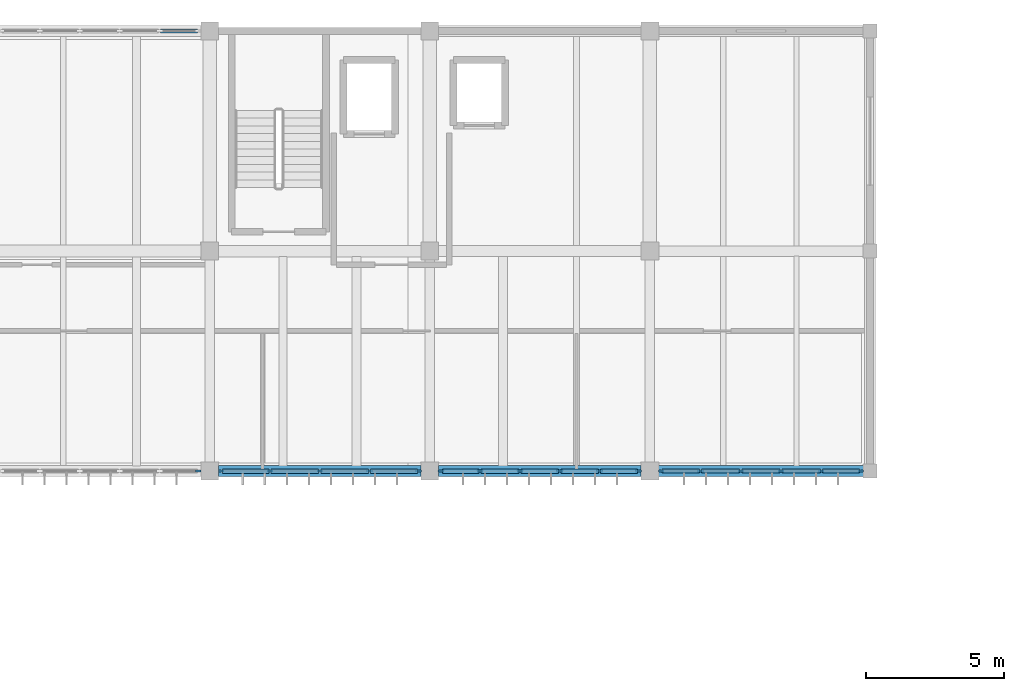
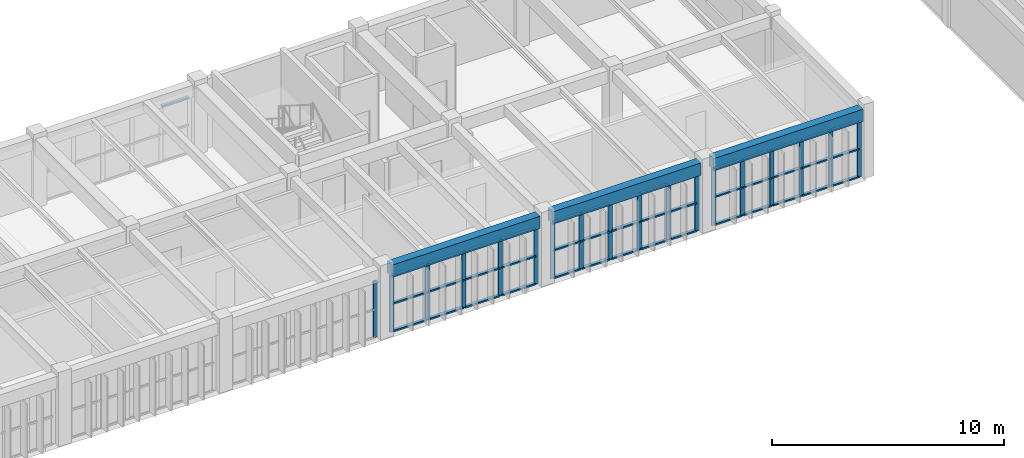
# One storey, part 8 of 31: 61 members, 3 beams, 5 elements without a shape of their own.
"""IFC4 building model written with IfcOpenShell, lengths in metres."""

import ifcopenshell
import ifcopenshell.guid

model = None  # the IFC model being written
_history = None  # IfcOwnerHistory: only IFC2X3 demands one
_inside = {}  # id of a spatial element -> (the spatial element, [elements in it])
_under = {}  # id of a project, library or spatial element -> (it, [spatial elements below it])
_declared = {}  # id of a project -> (the project, [libraries it declares])
_typed = {}  # id of a type object -> (the type object, [elements of that type])
_made_of = {}  # id of a material, layer set ... -> (it, [elements and type objects made of it])


def new_model(schema):
    """Start an empty IFC model of exactly this schema.

    Asked for "IFC4X3", IfcOpenShell would pick the latest addendum, in which some entities
    have other attributes; the version numbers below select the first issue.
    IFC2X3 requires an IfcOwnerHistory on every rooted entity: one is made here for all.
    """
    global model, _history
    if schema == "IFC4X3":
        model = ifcopenshell.file(schema_version=(4, 3, 0, 0))
    else:
        model = ifcopenshell.file(schema=schema)
    _inside.clear()
    _under.clear()
    _declared.clear()
    _typed.clear()
    _made_of.clear()
    _history = None
    if model.schema == "IFC2X3":
        org = make("IfcOrganization", Name="unknown")
        user = make(
            "IfcPersonAndOrganization",
            ThePerson=make("IfcPerson", FamilyName="unknown"),
            TheOrganization=org,
        )
        app = make(
            "IfcApplication",
            ApplicationDeveloper=org,
            Version="unknown",
            ApplicationFullName="unknown",
            ApplicationIdentifier="unknown",
        )
        _history = make(
            "IfcOwnerHistory",
            OwningUser=user,
            OwningApplication=app,
            ChangeAction="ADDED",
            CreationDate=0,
        )
    return model


def make(cls, **values):
    """One entity of the class cls with the attributes given. An attribute that is None is left unset."""
    return model.create_entity(
        cls, **{name: value for name, value in values.items() if value is not None}
    )


def rooted(cls, **values):
    """An entity with a GlobalId (a new one), such as an element, a storey or a relation."""
    return make(cls, GlobalId=ifcopenshell.guid.new(), OwnerHistory=_history, **values)


def si_unit(unit_type, name, prefix=None):
    """IfcSIUnit, for example si_unit("LENGTHUNIT", "METRE", prefix="MILLI")."""
    return make("IfcSIUnit", UnitType=unit_type, Prefix=prefix, Name=name)


def assignment(units):
    """IfcUnitAssignment: the units of a project."""
    return None if units is None else make("IfcUnitAssignment", Units=units)


def point(xyz):
    """IfcCartesianPoint."""
    return None if xyz is None else make("IfcCartesianPoint", Coordinates=xyz)


def direction(xyz):
    """IfcDirection."""
    return None if xyz is None else make("IfcDirection", DirectionRatios=xyz)


def frame(location, z_axis=None, x_axis=None):
    """IfcAxis2Placement3D, a coordinate frame: its origin and axes. An axis left out is left unset."""
    return make(
        "IfcAxis2Placement3D",
        Location=point(location),
        Axis=direction(z_axis),
        RefDirection=direction(x_axis),
    )


def frame_2d(location, x_axis=None):
    """IfcAxis2Placement2D, a coordinate frame in the plane: its origin and x axis."""
    return make(
        "IfcAxis2Placement2D", Location=point(location), RefDirection=direction(x_axis)
    )


def origin():
    """The frame at (0, 0, 0) with its axes left unset."""
    return frame((0.0, 0.0, 0.0))


def origin_2d():
    """The frame at (0, 0) in the plane with its x axis left unset."""
    return frame_2d((0.0, 0.0))


def place(relative_to, where):
    """IfcLocalPlacement: puts the frame where relative to a parent placement (None: the world)."""
    return make(
        "IfcLocalPlacement", PlacementRelTo=relative_to, RelativePlacement=where
    )


def context(
    kind, dimensions, precision=None, world=None, true_north=None, identifier=None
):
    """IfcGeometricRepresentationContext, for example the 3D "Model" context."""
    return make(
        "IfcGeometricRepresentationContext",
        ContextIdentifier=identifier,
        ContextType=kind,
        CoordinateSpaceDimension=dimensions,
        Precision=precision,
        WorldCoordinateSystem=world,
        TrueNorth=true_north,
    )


def subcontext(parent, identifier, kind, view, scale=None):
    """IfcGeometricRepresentationSubContext, for example "Body" below "Model"."""
    return make(
        "IfcGeometricRepresentationSubContext",
        ContextIdentifier=identifier,
        ContextType=kind,
        ParentContext=parent,
        TargetScale=scale,
        TargetView=view,
    )


def project(units=None, contexts=None):
    """IfcProject with its units and contexts."""
    return rooted(
        "IfcProject",
        Name="project",
        RepresentationContexts=contexts,
        UnitsInContext=assignment(units),
    )


def spatial(cls, under=None, at=None, **own):
    """A site, building, storey or space (cls), placed at a placement, below another one or the project."""
    s = rooted(cls, ObjectPlacement=at, **own)
    if under is not None:
        _under.setdefault(under.id(), (under, []))[1].append(s)
    return s


def profile(cls, at=None, kind="AREA", **sizes):
    """A parametric profile (cls). Its sizes go by their IFC names, for example OverallWidth=200.0."""
    return make(cls, ProfileType=kind, Position=at, **sizes)


def rectangle(**sizes):
    """IfcRectangleProfileDef."""
    return profile("IfcRectangleProfileDef", **sizes)


def extrude(swept, where, along, depth):
    """IfcExtrudedAreaSolid: the profile swept, set in the frame where, extruded along a direction by depth."""
    return make(
        "IfcExtrudedAreaSolid",
        SweptArea=swept,
        Position=where,
        ExtrudedDirection=direction(along),
        Depth=depth,
    )


def shape(context_of_items, identifier, shape_type, items):
    """IfcShapeRepresentation: the items that make up one representation, for example the "Body"."""
    return make(
        "IfcShapeRepresentation",
        ContextOfItems=context_of_items,
        RepresentationIdentifier=identifier,
        RepresentationType=shape_type,
        Items=items,
    )


def material(Name=None, Category=None):
    """IfcMaterial."""
    return make("IfcMaterial", Name=Name, Category=Category)


def material_profile(
    of_material, cross_section, Name=None, Category=None, Priority=None
):
    """IfcMaterialProfile: a cross section and its material."""
    return make(
        "IfcMaterialProfile",
        Name=Name,
        Material=of_material,
        Profile=cross_section,
        Priority=Priority,
        Category=Category,
    )


def profile_set(profiles, Name=None, composite=None):
    """IfcMaterialProfileSet."""
    return make(
        "IfcMaterialProfileSet",
        Name=Name,
        MaterialProfiles=profiles,
        CompositeProfile=composite,
    )


def made_of(thing, what):
    """Note that an element or type object is made of a material, layer set ...; save() writes the relation."""
    if what is not None:
        _made_of.setdefault(what.id(), (what, []))[1].append(thing)
    return thing


def type_object(cls, material=None, **own):
    """A type object (cls), such as IfcWallType, which elements share."""
    return made_of(rooted(cls, **own), material)


def element(
    cls,
    number,
    at=None,
    inside=None,
    cuts=None,
    type_object=None,
    material=None,
    context=None,
    identifier="Body",
    shape_type=None,
    held_by="IfcProductDefinitionShape",
    body=None,
    shapes=None,
    **own,
):
    """One element of the class cls, such as IfcWall. Its Tag is "e" and its number.

    at: its placement. inside: the storey or other place that contains it. cuts: it is an
    opening in that element (IfcRelVoidsElement). A single representation is given by context,
    identifier, shape_type and body (its items); several are given by shapes. held_by: the class
    of the entity that holds the representations. save() writes the other relations.
    """
    e = rooted(cls, Tag="e%d" % number, ObjectPlacement=at, **own)
    if body is not None:
        shapes = [shape(context, identifier, shape_type, body)]
    if shapes is not None:
        e.Representation = make(held_by, Representations=shapes)
    if inside is not None:
        _inside.setdefault(inside.id(), (inside, []))[1].append(e)
    if cuts is not None:
        rooted(
            "IfcRelVoidsElement", RelatingBuildingElement=cuts, RelatedOpeningElement=e
        )
    if type_object is not None:
        _typed.setdefault(type_object.id(), (type_object, []))[1].append(e)
    return made_of(e, material)


def aggregate(whole, parts):
    """IfcRelAggregates: a whole, such as a stair, and the parts it consists of."""
    return rooted("IfcRelAggregates", RelatingObject=whole, RelatedObjects=parts)


def save(model, path):
    """Write the relations noted so far, then the file.

    IfcRelAggregates (storeys below a building ...), IfcRelContainedInSpatialStructure (elements
    in a storey), IfcRelDefinesByType, IfcRelAssociatesMaterial and IfcRelDeclares: one each for
    every whole, place, type object, material and project.
    """
    for whole, parts in _under.values():
        aggregate(whole, parts)
    for where, things in _inside.values():
        rooted(
            "IfcRelContainedInSpatialStructure",
            RelatedElements=things,
            RelatingStructure=where,
        )
    for kind, things in _typed.values():
        rooted("IfcRelDefinesByType", RelatedObjects=things, RelatingType=kind)
    for what, things in _made_of.values():
        rooted("IfcRelAssociatesMaterial", RelatedObjects=things, RelatingMaterial=what)
    for by, libraries in _declared.values():
        rooted("IfcRelDeclares", RelatingContext=by, RelatedDefinitions=libraries)
    model.write(path)


model = new_model("IFC4")

# Units and contexts
model_context = context("Model", 3, precision=1e-05, world=origin(), true_north=direction((0.0, 1.0)))
body_context = subcontext(model_context, "Body", "Model", "MODEL_VIEW")
ifc_project = project(units=[si_unit("LENGTHUNIT", "METRE"), si_unit("AREAUNIT", "SQUARE_METRE"), si_unit("VOLUMEUNIT", "CUBIC_METRE"), si_unit("PLANEANGLEUNIT", "RADIAN"), si_unit("MASSUNIT", "GRAM", prefix="KILO")], contexts=[model_context])

# Site, building, storey
site_placement = place(None, origin())
site = spatial("IfcSite", under=ifc_project, at=site_placement, CompositionType="ELEMENT")
building_placement = place(site_placement, origin())
building = spatial("IfcBuilding", under=site, at=building_placement, Name="Tlaxcora Railside Police Headquarters", CompositionType="ELEMENT")
storey_placement = place(building_placement, frame((0.0, 0.0, 18.0)))
storey = spatial("IfcBuildingStorey", under=building, at=storey_placement, Name="L04", CompositionType="ELEMENT", Elevation=18.0)

# Curtain wall, members
ifc_material_1 = material(Name="Thermally broken low-E insulated glazing", Category="glass")
curtain_wall_type_1 = type_object("IfcCurtainWallType", Name="Unitised Curtain Wall Assembly CW-23", PredefinedType="NOTDEFINED", material=ifc_material_1)
curtain_wall_1_placement = place(storey_placement, origin())
curtain_wall_1 = element("IfcCurtainWall", 1, at=curtain_wall_1_placement, inside=storey, type_object=curtain_wall_type_1, Name="V5 L04 curtain wall 96", PredefinedType="NOTDEFINED")
ifc_material_2 = material(Name="Anodised aluminium framing", Category="aluminium")
ifc_material_profile_1 = material_profile(ifc_material_2, rectangle(XDim=0.080078125, YDim=0.219970703125, at=origin_2d()), Name="AL80X220")
ifc_profile_set_1 = profile_set([ifc_material_profile_1], Name="Anodised aluminium framing")
member_type_1 = type_object("IfcMemberType", Name="Curtain Wall Mullion CW-31", PredefinedType="MULLION", material=ifc_profile_set_1)
member_1_placement = place(storey_placement, frame((78.4150390625, 76.800048828125, 0.0), z_axis=(0.0, 0.0, 1.0), x_axis=(0.0, 1.0, 0.0)))
member_1 = element("IfcMember", 2, at=member_1_placement, type_object=member_type_1, Name="CW mullion 1", PredefinedType="MULLION", context=body_context, shape_type="SweptSolid", body=[
    extrude(rectangle(XDim=0.080078125, YDim=0.219970703125, at=origin_2d()), origin(), (0.0, 0.0, 1.0), 2.969970703125),
])
member_2_placement = place(storey_placement, frame((79.824951171875, 76.800048828125, 0.0), z_axis=(0.0, 0.0, 1.0), x_axis=(0.0, 1.0, 0.0)))
member_2 = element("IfcMember", 3, at=member_2_placement, type_object=member_type_1, Name="CW mullion 2", PredefinedType="MULLION", context=body_context, shape_type="SweptSolid", body=[
    extrude(rectangle(XDim=0.080078125, YDim=0.219970703125, at=origin_2d()), origin(), (0.0, 0.0, 1.0), 2.969970703125),
])
member_3_placement = place(storey_placement, frame((81.27490234375, 76.800048828125, 0.0), z_axis=(0.0, 0.0, 1.0), x_axis=(0.0, 1.0, 0.0)))
member_3 = element("IfcMember", 4, at=member_3_placement, type_object=member_type_1, Name="CW mullion 3", PredefinedType="MULLION", context=body_context, shape_type="SweptSolid", body=[
    extrude(rectangle(XDim=0.080078125, YDim=0.219970703125, at=origin_2d()), origin(), (0.0, 0.0, 1.0), 2.969970703125),
])
member_4_placement = place(storey_placement, frame((82.72509765625, 76.800048828125, 0.0), z_axis=(0.0, 0.0, 1.0), x_axis=(0.0, 1.0, 0.0)))
member_4 = element("IfcMember", 5, at=member_4_placement, type_object=member_type_1, Name="CW mullion 4", PredefinedType="MULLION", context=body_context, shape_type="SweptSolid", body=[
    extrude(rectangle(XDim=0.080078125, YDim=0.219970703125, at=origin_2d()), origin(), (0.0, 0.0, 1.0), 2.969970703125),
])
member_5_placement = place(storey_placement, frame((84.175048828125, 76.800048828125, 0.0), z_axis=(0.0, 0.0, 1.0), x_axis=(0.0, 1.0, 0.0)))
member_5 = element("IfcMember", 6, at=member_5_placement, type_object=member_type_1, Name="CW mullion 5", PredefinedType="MULLION", context=body_context, shape_type="SweptSolid", body=[
    extrude(rectangle(XDim=0.080078125, YDim=0.219970703125, at=origin_2d()), origin(), (0.0, 0.0, 1.0), 2.969970703125),
])
member_6_placement = place(storey_placement, frame((85.5849609375, 76.800048828125, 0.0), z_axis=(0.0, 0.0, 1.0), x_axis=(0.0, 1.0, 0.0)))
member_6 = element("IfcMember", 7, at=member_6_placement, type_object=member_type_1, Name="CW mullion 6", PredefinedType="MULLION", context=body_context, shape_type="SweptSolid", body=[
    extrude(rectangle(XDim=0.080078125, YDim=0.219970703125, at=origin_2d()), origin(), (0.0, 0.0, 1.0), 2.969970703125),
])

curtain_wall_type_2 = type_object("IfcCurtainWallType", Name="Unitised Curtain Wall Assembly CW-38", PredefinedType="NOTDEFINED", material=ifc_material_1)
curtain_wall_2_placement = place(storey_placement, origin())
curtain_wall_2 = element("IfcCurtainWall", 8, at=curtain_wall_2_placement, inside=storey, type_object=curtain_wall_type_2, Name="V5 L04 curtain wall 97", PredefinedType="NOTDEFINED")
ifc_material_profile_2 = material_profile(ifc_material_2, rectangle(XDim=0.074951171875, YDim=0.205078125, at=origin_2d()), Name="AL75X205")
ifc_profile_set_2 = profile_set([ifc_material_profile_2], Name="Anodised aluminium framing")
member_type_2 = type_object("IfcMemberType", Name="Curtain Wall Mullion CW-32", PredefinedType="MULLION", material=ifc_profile_set_2)
member_7_placement = place(storey_placement, frame((86.41259765625, 76.800048828125, 0.0), z_axis=(0.0, 0.0, 1.0), x_axis=(0.0, 1.0, 0.0)))
member_7 = element("IfcMember", 9, at=member_7_placement, type_object=member_type_2, Name="CW mullion 1", PredefinedType="MULLION", context=body_context, shape_type="SweptSolid", body=[
    extrude(rectangle(XDim=0.074951171875, YDim=0.205078125, at=origin_2d()), origin(), (0.0, 0.0, 1.0), 2.969970703125),
])
member_8_placement = place(storey_placement, frame((87.840087890625, 76.800048828125, 0.0), z_axis=(0.0, 0.0, 1.0), x_axis=(0.0, 1.0, 0.0)))
member_8 = element("IfcMember", 10, at=member_8_placement, type_object=member_type_2, Name="CW mullion 2", PredefinedType="MULLION", context=body_context, shape_type="SweptSolid", body=[
    extrude(rectangle(XDim=0.074951171875, YDim=0.205078125, at=origin_2d()), origin(), (0.0, 0.0, 1.0), 2.969970703125),
])
member_9_placement = place(storey_placement, frame((89.304931640625, 76.800048828125, 0.0), z_axis=(0.0, 0.0, 1.0), x_axis=(0.0, 1.0, 0.0)))
member_9 = element("IfcMember", 11, at=member_9_placement, type_object=member_type_2, Name="CW mullion 3", PredefinedType="MULLION", context=body_context, shape_type="SweptSolid", body=[
    extrude(rectangle(XDim=0.074951171875, YDim=0.205078125, at=origin_2d()), origin(), (0.0, 0.0, 1.0), 2.969970703125),
])
member_10_placement = place(storey_placement, frame((90.77001953125, 76.800048828125, 0.0), z_axis=(0.0, 0.0, 1.0), x_axis=(0.0, 1.0, 0.0)))
member_10 = element("IfcMember", 12, at=member_10_placement, type_object=member_type_2, Name="CW mullion 4", PredefinedType="MULLION", context=body_context, shape_type="SweptSolid", body=[
    extrude(rectangle(XDim=0.074951171875, YDim=0.205078125, at=origin_2d()), origin(), (0.0, 0.0, 1.0), 2.969970703125),
])
member_11_placement = place(storey_placement, frame((92.235107421875, 76.800048828125, 0.0), z_axis=(0.0, 0.0, 1.0), x_axis=(0.0, 1.0, 0.0)))
member_11 = element("IfcMember", 13, at=member_11_placement, type_object=member_type_2, Name="CW mullion 5", PredefinedType="MULLION", context=body_context, shape_type="SweptSolid", body=[
    extrude(rectangle(XDim=0.074951171875, YDim=0.205078125, at=origin_2d()), origin(), (0.0, 0.0, 1.0), 2.969970703125),
])
member_12_placement = place(storey_placement, frame((93.66259765625, 76.800048828125, 0.0), z_axis=(0.0, 0.0, 1.0), x_axis=(0.0, 1.0, 0.0)))
member_12 = element("IfcMember", 14, at=member_12_placement, type_object=member_type_2, Name="CW mullion 6", PredefinedType="MULLION", context=body_context, shape_type="SweptSolid", body=[
    extrude(rectangle(XDim=0.074951171875, YDim=0.205078125, at=origin_2d()), origin(), (0.0, 0.0, 1.0), 2.969970703125),
])

# Curtain wall, member
curtain_wall_type_3 = type_object("IfcCurtainWallType", Name="Unitised Curtain Wall Assembly CW-15", PredefinedType="NOTDEFINED", material=ifc_material_1)
curtain_wall_3_placement = place(storey_placement, origin())
curtain_wall_3 = element("IfcCurtainWall", 15, at=curtain_wall_3_placement, inside=storey, type_object=curtain_wall_type_3, Name="V5 L04 curtain wall 94", PredefinedType="NOTDEFINED")
ifc_material_profile_3 = material_profile(ifc_material_2, rectangle(XDim=0.074951171875, YDim=0.199951171875, at=origin_2d()), Name="AL75X200")
ifc_profile_set_3 = profile_set([ifc_material_profile_3], Name="Anodised aluminium framing")
member_type_3 = type_object("IfcMemberType", Name="Curtain Wall Mullion CW-58", PredefinedType="MULLION", material=ifc_profile_set_3)
member_13_placement = place(storey_placement, frame((69.58740234375, 76.800048828125, 0.0), z_axis=(0.0, 0.0, 1.0), x_axis=(0.0, 1.0, 0.0)))
member_13 = element("IfcMember", 16, at=member_13_placement, type_object=member_type_3, Name="CW mullion 6", PredefinedType="MULLION", context=body_context, shape_type="SweptSolid", body=[
    extrude(rectangle(XDim=0.074951171875, YDim=0.199951171875, at=origin_2d()), origin(), (0.0, 0.0, 1.0), 2.969970703125),
])
aggregate(curtain_wall_3, [member_13])

# Curtain wall, members
curtain_wall_type_4 = type_object("IfcCurtainWallType", Name="Unitised Curtain Wall Assembly CW-83", PredefinedType="NOTDEFINED", material=ifc_material_1)
curtain_wall_4_placement = place(storey_placement, origin())
curtain_wall_4 = element("IfcCurtainWall", 17, at=curtain_wall_4_placement, inside=storey, type_object=curtain_wall_type_4, Name="V5 L04 curtain wall 95", PredefinedType="NOTDEFINED")
ifc_material_profile_4 = material_profile(ifc_material_2, rectangle(XDim=0.080078125, YDim=0.2099609375, at=origin_2d()), Name="AL80X210")
ifc_profile_set_4 = profile_set([ifc_material_profile_4], Name="Anodised aluminium framing")
member_type_4 = type_object("IfcMemberType", Name="Curtain Wall Mullion CW-76", PredefinedType="MULLION", material=ifc_profile_set_4)
member_14_placement = place(storey_placement, frame((70.4150390625, 76.800048828125, 0.0), z_axis=(0.0, 0.0, 1.0), x_axis=(0.0, 1.0, 0.0)))
member_14 = element("IfcMember", 18, at=member_14_placement, type_object=member_type_4, Name="CW mullion 1", PredefinedType="MULLION", context=body_context, shape_type="SweptSolid", body=[
    extrude(rectangle(XDim=0.080078125, YDim=0.2099609375, at=origin_2d()), origin(), (0.0, 0.0, 1.0), 2.969970703125),
])
member_15_placement = place(storey_placement, frame((72.1875, 76.800048828125, 0.0), z_axis=(0.0, 0.0, 1.0), x_axis=(0.0, 1.0, 0.0)))
member_15 = element("IfcMember", 19, at=member_15_placement, type_object=member_type_4, Name="CW mullion 2", PredefinedType="MULLION", context=body_context, shape_type="SweptSolid", body=[
    extrude(rectangle(XDim=0.080078125, YDim=0.2099609375, at=origin_2d()), origin(), (0.0, 0.0, 1.0), 2.969970703125),
])
member_16_placement = place(storey_placement, frame((74.0, 76.800048828125, 0.0), z_axis=(0.0, 0.0, 1.0), x_axis=(0.0, 1.0, 0.0)))
member_16 = element("IfcMember", 20, at=member_16_placement, type_object=member_type_4, Name="CW mullion 3", PredefinedType="MULLION", context=body_context, shape_type="SweptSolid", body=[
    extrude(rectangle(XDim=0.080078125, YDim=0.2099609375, at=origin_2d()), origin(), (0.0, 0.0, 1.0), 2.969970703125),
])
member_17_placement = place(storey_placement, frame((75.8125, 76.800048828125, 0.0), z_axis=(0.0, 0.0, 1.0), x_axis=(0.0, 1.0, 0.0)))
member_17 = element("IfcMember", 21, at=member_17_placement, type_object=member_type_4, Name="CW mullion 4", PredefinedType="MULLION", context=body_context, shape_type="SweptSolid", body=[
    extrude(rectangle(XDim=0.080078125, YDim=0.2099609375, at=origin_2d()), origin(), (0.0, 0.0, 1.0), 2.969970703125),
])
member_18_placement = place(storey_placement, frame((77.5849609375, 76.800048828125, 0.0), z_axis=(0.0, 0.0, 1.0), x_axis=(0.0, 1.0, 0.0)))
member_18 = element("IfcMember", 22, at=member_18_placement, type_object=member_type_4, Name="CW mullion 5", PredefinedType="MULLION", context=body_context, shape_type="SweptSolid", body=[
    extrude(rectangle(XDim=0.080078125, YDim=0.2099609375, at=origin_2d()), origin(), (0.0, 0.0, 1.0), 2.969970703125),
])

# Curtain wall, member
curtain_wall_5_placement = place(storey_placement, origin())
curtain_wall_5 = element("IfcCurtainWall", 23, at=curtain_wall_5_placement, inside=storey, type_object=curtain_wall_type_3, Name="V5 L04 curtain wall 98", PredefinedType="NOTDEFINED")
ifc_material_profile_5 = material_profile(ifc_material_2, rectangle(XDim=0.14990234375, YDim=0.074951171875, at=origin_2d()), Name="AL75X150")
ifc_profile_set_5 = profile_set([ifc_material_profile_5], Name="Anodised aluminium framing")
member_type_5 = type_object("IfcMemberType", Name="Curtain Wall Transom CW-28", PredefinedType="USERDEFINED", material=ifc_profile_set_5)
member_19_placement = place(storey_placement, frame((69.550048828125, 92.800048828125, 2.9326171875), z_axis=(-1.0, 0.0, 0.0), x_axis=(0.0, -1.0, 0.0)))
member_19 = element("IfcMember", 24, at=member_19_placement, type_object=member_type_5, Name="CW transom 1.3", ObjectType="TRANSOM", PredefinedType="USERDEFINED", context=body_context, shape_type="SweptSolid", body=[
    extrude(rectangle(XDim=0.14990234375, YDim=0.074951171875, at=origin_2d()), origin(), (0.0, 0.0, 1.0), 1.337646484375),
])
aggregate(curtain_wall_5, [member_19])

# Member
ifc_material_profile_6 = material_profile(ifc_material_2, rectangle(XDim=0.155029296875, YDim=0.074951171875, at=origin_2d()), Name="AL75X155")
ifc_profile_set_6 = profile_set([ifc_material_profile_6], Name="Anodised aluminium framing")
member_type_6 = type_object("IfcMemberType", Name="Curtain Wall Transom CW-30", PredefinedType="USERDEFINED", material=ifc_profile_set_6)
member_20_placement = place(storey_placement, frame((86.449951171875, 76.800048828125, 0.03759765625), z_axis=(1.0, 0.0, 0.0), x_axis=(0.0, 1.0, 0.0)))
member_20 = element("IfcMember", 25, at=member_20_placement, type_object=member_type_6, Name="CW transom 1.1", ObjectType="TRANSOM", PredefinedType="USERDEFINED", context=body_context, shape_type="SweptSolid", body=[
    extrude(rectangle(XDim=0.155029296875, YDim=0.074951171875, at=origin_2d()), origin(), (0.0, 0.0, 1.0), 1.3525390625),
])

member_21_placement = place(storey_placement, frame((86.449951171875, 76.800048828125, 1.4951171875), z_axis=(1.0, 0.0, 0.0), x_axis=(0.0, 1.0, 0.0)))
member_21 = element("IfcMember", 26, at=member_21_placement, type_object=member_type_6, Name="CW transom 1.2", ObjectType="TRANSOM", PredefinedType="USERDEFINED", context=body_context, shape_type="SweptSolid", body=[
    extrude(rectangle(XDim=0.155029296875, YDim=0.074951171875, at=origin_2d()), origin(), (0.0, 0.0, 1.0), 1.3525390625),
])

member_22_placement = place(storey_placement, frame((86.449951171875, 76.800048828125, 2.9326171875), z_axis=(1.0, 0.0, 0.0), x_axis=(0.0, 1.0, 0.0)))
member_22 = element("IfcMember", 27, at=member_22_placement, type_object=member_type_6, Name="CW transom 1.3", ObjectType="TRANSOM", PredefinedType="USERDEFINED", context=body_context, shape_type="SweptSolid", body=[
    extrude(rectangle(XDim=0.155029296875, YDim=0.074951171875, at=origin_2d()), origin(), (0.0, 0.0, 1.0), 1.3525390625),
])

member_23_placement = place(storey_placement, frame((87.87744140625, 76.800048828125, 0.03759765625), z_axis=(1.0, 0.0, 0.0), x_axis=(0.0, 1.0, 0.0)))
member_23 = element("IfcMember", 28, at=member_23_placement, type_object=member_type_6, Name="CW transom 2.1", ObjectType="TRANSOM", PredefinedType="USERDEFINED", context=body_context, shape_type="SweptSolid", body=[
    extrude(rectangle(XDim=0.155029296875, YDim=0.074951171875, at=origin_2d()), origin(), (0.0, 0.0, 1.0), 1.39013671875),
])

member_24_placement = place(storey_placement, frame((87.87744140625, 76.800048828125, 1.4951171875), z_axis=(1.0, 0.0, 0.0), x_axis=(0.0, 1.0, 0.0)))
member_24 = element("IfcMember", 29, at=member_24_placement, type_object=member_type_6, Name="CW transom 2.2", ObjectType="TRANSOM", PredefinedType="USERDEFINED", context=body_context, shape_type="SweptSolid", body=[
    extrude(rectangle(XDim=0.155029296875, YDim=0.074951171875, at=origin_2d()), origin(), (0.0, 0.0, 1.0), 1.39013671875),
])

member_25_placement = place(storey_placement, frame((87.87744140625, 76.800048828125, 2.9326171875), z_axis=(1.0, 0.0, 0.0), x_axis=(0.0, 1.0, 0.0)))
member_25 = element("IfcMember", 30, at=member_25_placement, type_object=member_type_6, Name="CW transom 2.3", ObjectType="TRANSOM", PredefinedType="USERDEFINED", context=body_context, shape_type="SweptSolid", body=[
    extrude(rectangle(XDim=0.155029296875, YDim=0.074951171875, at=origin_2d()), origin(), (0.0, 0.0, 1.0), 1.39013671875),
])

member_26_placement = place(storey_placement, frame((89.342529296875, 76.800048828125, 0.03759765625), z_axis=(1.0, 0.0, 0.0), x_axis=(0.0, 1.0, 0.0)))
member_26 = element("IfcMember", 31, at=member_26_placement, type_object=member_type_6, Name="CW transom 3.1", ObjectType="TRANSOM", PredefinedType="USERDEFINED", context=body_context, shape_type="SweptSolid", body=[
    extrude(rectangle(XDim=0.155029296875, YDim=0.074951171875, at=origin_2d()), origin(), (0.0, 0.0, 1.0), 1.389892578125),
])

member_27_placement = place(storey_placement, frame((89.342529296875, 76.800048828125, 1.4951171875), z_axis=(1.0, 0.0, 0.0), x_axis=(0.0, 1.0, 0.0)))
member_27 = element("IfcMember", 32, at=member_27_placement, type_object=member_type_6, Name="CW transom 3.2", ObjectType="TRANSOM", PredefinedType="USERDEFINED", context=body_context, shape_type="SweptSolid", body=[
    extrude(rectangle(XDim=0.155029296875, YDim=0.074951171875, at=origin_2d()), origin(), (0.0, 0.0, 1.0), 1.389892578125),
])

member_28_placement = place(storey_placement, frame((89.342529296875, 76.800048828125, 2.9326171875), z_axis=(1.0, 0.0, 0.0), x_axis=(0.0, 1.0, 0.0)))
member_28 = element("IfcMember", 33, at=member_28_placement, type_object=member_type_6, Name="CW transom 3.3", ObjectType="TRANSOM", PredefinedType="USERDEFINED", context=body_context, shape_type="SweptSolid", body=[
    extrude(rectangle(XDim=0.155029296875, YDim=0.074951171875, at=origin_2d()), origin(), (0.0, 0.0, 1.0), 1.389892578125),
])

member_29_placement = place(storey_placement, frame((90.8076171875, 76.800048828125, 0.03759765625), z_axis=(1.0, 0.0, 0.0), x_axis=(0.0, 1.0, 0.0)))
member_29 = element("IfcMember", 34, at=member_29_placement, type_object=member_type_6, Name="CW transom 4.1", ObjectType="TRANSOM", PredefinedType="USERDEFINED", context=body_context, shape_type="SweptSolid", body=[
    extrude(rectangle(XDim=0.155029296875, YDim=0.074951171875, at=origin_2d()), origin(), (0.0, 0.0, 1.0), 1.389892578125),
])

member_30_placement = place(storey_placement, frame((90.8076171875, 76.800048828125, 1.4951171875), z_axis=(1.0, 0.0, 0.0), x_axis=(0.0, 1.0, 0.0)))
member_30 = element("IfcMember", 35, at=member_30_placement, type_object=member_type_6, Name="CW transom 4.2", ObjectType="TRANSOM", PredefinedType="USERDEFINED", context=body_context, shape_type="SweptSolid", body=[
    extrude(rectangle(XDim=0.155029296875, YDim=0.074951171875, at=origin_2d()), origin(), (0.0, 0.0, 1.0), 1.389892578125),
])

member_31_placement = place(storey_placement, frame((90.8076171875, 76.800048828125, 2.9326171875), z_axis=(1.0, 0.0, 0.0), x_axis=(0.0, 1.0, 0.0)))
member_31 = element("IfcMember", 36, at=member_31_placement, type_object=member_type_6, Name="CW transom 4.3", ObjectType="TRANSOM", PredefinedType="USERDEFINED", context=body_context, shape_type="SweptSolid", body=[
    extrude(rectangle(XDim=0.155029296875, YDim=0.074951171875, at=origin_2d()), origin(), (0.0, 0.0, 1.0), 1.389892578125),
])

member_32_placement = place(storey_placement, frame((92.2724609375, 76.800048828125, 0.03759765625), z_axis=(1.0, 0.0, 0.0), x_axis=(0.0, 1.0, 0.0)))
member_32 = element("IfcMember", 37, at=member_32_placement, type_object=member_type_6, Name="CW transom 5.1", ObjectType="TRANSOM", PredefinedType="USERDEFINED", context=body_context, shape_type="SweptSolid", body=[
    extrude(rectangle(XDim=0.155029296875, YDim=0.074951171875, at=origin_2d()), origin(), (0.0, 0.0, 1.0), 1.3525390625),
])

member_33_placement = place(storey_placement, frame((92.2724609375, 76.800048828125, 1.4951171875), z_axis=(1.0, 0.0, 0.0), x_axis=(0.0, 1.0, 0.0)))
member_33 = element("IfcMember", 38, at=member_33_placement, type_object=member_type_6, Name="CW transom 5.2", ObjectType="TRANSOM", PredefinedType="USERDEFINED", context=body_context, shape_type="SweptSolid", body=[
    extrude(rectangle(XDim=0.155029296875, YDim=0.074951171875, at=origin_2d()), origin(), (0.0, 0.0, 1.0), 1.3525390625),
])

member_34_placement = place(storey_placement, frame((92.2724609375, 76.800048828125, 2.9326171875), z_axis=(1.0, 0.0, 0.0), x_axis=(0.0, 1.0, 0.0)))
member_34 = element("IfcMember", 39, at=member_34_placement, type_object=member_type_6, Name="CW transom 5.3", ObjectType="TRANSOM", PredefinedType="USERDEFINED", context=body_context, shape_type="SweptSolid", body=[
    extrude(rectangle(XDim=0.155029296875, YDim=0.074951171875, at=origin_2d()), origin(), (0.0, 0.0, 1.0), 1.3525390625),
])

aggregate(curtain_wall_2, [member_7, member_8, member_9, member_10, member_11, member_12, member_20, member_21, member_22, member_23, member_24, member_25, member_26, member_27, member_28, member_29, member_30, member_31, member_32, member_33, member_34])

ifc_material_profile_7 = material_profile(ifc_material_2, rectangle(XDim=0.1650390625, YDim=0.080078125, at=origin_2d()), Name="AL80X165")
ifc_profile_set_7 = profile_set([ifc_material_profile_7], Name="Anodised aluminium framing")
member_type_7 = type_object("IfcMemberType", Name="Curtain Wall Transom CW-62", PredefinedType="USERDEFINED", material=ifc_profile_set_7)
member_35_placement = place(storey_placement, frame((78.455078125, 76.800048828125, 0.0400390625), z_axis=(1.0, 0.0, 0.0), x_axis=(0.0, 1.0, 0.0)))
member_35 = element("IfcMember", 40, at=member_35_placement, type_object=member_type_7, Name="CW transom 1.1", ObjectType="TRANSOM", PredefinedType="USERDEFINED", context=body_context, shape_type="SweptSolid", body=[
    extrude(rectangle(XDim=0.1650390625, YDim=0.080078125, at=origin_2d()), origin(), (0.0, 0.0, 1.0), 1.329833984375),
])

member_36_placement = place(storey_placement, frame((78.455078125, 76.800048828125, 1.4951171875), z_axis=(1.0, 0.0, 0.0), x_axis=(0.0, 1.0, 0.0)))
member_36 = element("IfcMember", 41, at=member_36_placement, type_object=member_type_7, Name="CW transom 1.2", ObjectType="TRANSOM", PredefinedType="USERDEFINED", context=body_context, shape_type="SweptSolid", body=[
    extrude(rectangle(XDim=0.1650390625, YDim=0.080078125, at=origin_2d()), origin(), (0.0, 0.0, 1.0), 1.329833984375),
])

member_37_placement = place(storey_placement, frame((78.455078125, 76.800048828125, 2.929931640625), z_axis=(1.0, 0.0, 0.0), x_axis=(0.0, 1.0, 0.0)))
member_37 = element("IfcMember", 42, at=member_37_placement, type_object=member_type_7, Name="CW transom 1.3", ObjectType="TRANSOM", PredefinedType="USERDEFINED", context=body_context, shape_type="SweptSolid", body=[
    extrude(rectangle(XDim=0.1650390625, YDim=0.080078125, at=origin_2d()), origin(), (0.0, 0.0, 1.0), 1.329833984375),
])

member_38_placement = place(storey_placement, frame((79.864990234375, 76.800048828125, 0.0400390625), z_axis=(1.0, 0.0, 0.0), x_axis=(0.0, 1.0, 0.0)))
member_38 = element("IfcMember", 43, at=member_38_placement, type_object=member_type_7, Name="CW transom 2.1", ObjectType="TRANSOM", PredefinedType="USERDEFINED", context=body_context, shape_type="SweptSolid", body=[
    extrude(rectangle(XDim=0.1650390625, YDim=0.080078125, at=origin_2d()), origin(), (0.0, 0.0, 1.0), 1.3701171875),
])

member_39_placement = place(storey_placement, frame((79.864990234375, 76.800048828125, 1.4951171875), z_axis=(1.0, 0.0, 0.0), x_axis=(0.0, 1.0, 0.0)))
member_39 = element("IfcMember", 44, at=member_39_placement, type_object=member_type_7, Name="CW transom 2.2", ObjectType="TRANSOM", PredefinedType="USERDEFINED", context=body_context, shape_type="SweptSolid", body=[
    extrude(rectangle(XDim=0.1650390625, YDim=0.080078125, at=origin_2d()), origin(), (0.0, 0.0, 1.0), 1.3701171875),
])

member_40_placement = place(storey_placement, frame((79.864990234375, 76.800048828125, 2.929931640625), z_axis=(1.0, 0.0, 0.0), x_axis=(0.0, 1.0, 0.0)))
member_40 = element("IfcMember", 45, at=member_40_placement, type_object=member_type_7, Name="CW transom 2.3", ObjectType="TRANSOM", PredefinedType="USERDEFINED", context=body_context, shape_type="SweptSolid", body=[
    extrude(rectangle(XDim=0.1650390625, YDim=0.080078125, at=origin_2d()), origin(), (0.0, 0.0, 1.0), 1.3701171875),
])

member_41_placement = place(storey_placement, frame((81.31494140625, 76.800048828125, 0.0400390625), z_axis=(1.0, 0.0, 0.0), x_axis=(0.0, 1.0, 0.0)))
member_41 = element("IfcMember", 46, at=member_41_placement, type_object=member_type_7, Name="CW transom 3.1", ObjectType="TRANSOM", PredefinedType="USERDEFINED", context=body_context, shape_type="SweptSolid", body=[
    extrude(rectangle(XDim=0.1650390625, YDim=0.080078125, at=origin_2d()), origin(), (0.0, 0.0, 1.0), 1.3701171875),
])

member_42_placement = place(storey_placement, frame((81.31494140625, 76.800048828125, 1.4951171875), z_axis=(1.0, 0.0, 0.0), x_axis=(0.0, 1.0, 0.0)))
member_42 = element("IfcMember", 47, at=member_42_placement, type_object=member_type_7, Name="CW transom 3.2", ObjectType="TRANSOM", PredefinedType="USERDEFINED", context=body_context, shape_type="SweptSolid", body=[
    extrude(rectangle(XDim=0.1650390625, YDim=0.080078125, at=origin_2d()), origin(), (0.0, 0.0, 1.0), 1.3701171875),
])

member_43_placement = place(storey_placement, frame((81.31494140625, 76.800048828125, 2.929931640625), z_axis=(1.0, 0.0, 0.0), x_axis=(0.0, 1.0, 0.0)))
member_43 = element("IfcMember", 48, at=member_43_placement, type_object=member_type_7, Name="CW transom 3.3", ObjectType="TRANSOM", PredefinedType="USERDEFINED", context=body_context, shape_type="SweptSolid", body=[
    extrude(rectangle(XDim=0.1650390625, YDim=0.080078125, at=origin_2d()), origin(), (0.0, 0.0, 1.0), 1.3701171875),
])

member_44_placement = place(storey_placement, frame((82.764892578125, 76.800048828125, 0.0400390625), z_axis=(1.0, 0.0, 0.0), x_axis=(0.0, 1.0, 0.0)))
member_44 = element("IfcMember", 49, at=member_44_placement, type_object=member_type_7, Name="CW transom 4.1", ObjectType="TRANSOM", PredefinedType="USERDEFINED", context=body_context, shape_type="SweptSolid", body=[
    extrude(rectangle(XDim=0.1650390625, YDim=0.080078125, at=origin_2d()), origin(), (0.0, 0.0, 1.0), 1.3701171875),
])

member_45_placement = place(storey_placement, frame((82.764892578125, 76.800048828125, 1.4951171875), z_axis=(1.0, 0.0, 0.0), x_axis=(0.0, 1.0, 0.0)))
member_45 = element("IfcMember", 50, at=member_45_placement, type_object=member_type_7, Name="CW transom 4.2", ObjectType="TRANSOM", PredefinedType="USERDEFINED", context=body_context, shape_type="SweptSolid", body=[
    extrude(rectangle(XDim=0.1650390625, YDim=0.080078125, at=origin_2d()), origin(), (0.0, 0.0, 1.0), 1.3701171875),
])

member_46_placement = place(storey_placement, frame((82.764892578125, 76.800048828125, 2.929931640625), z_axis=(1.0, 0.0, 0.0), x_axis=(0.0, 1.0, 0.0)))
member_46 = element("IfcMember", 51, at=member_46_placement, type_object=member_type_7, Name="CW transom 4.3", ObjectType="TRANSOM", PredefinedType="USERDEFINED", context=body_context, shape_type="SweptSolid", body=[
    extrude(rectangle(XDim=0.1650390625, YDim=0.080078125, at=origin_2d()), origin(), (0.0, 0.0, 1.0), 1.3701171875),
])

member_47_placement = place(storey_placement, frame((84.215087890625, 76.800048828125, 0.0400390625), z_axis=(1.0, 0.0, 0.0), x_axis=(0.0, 1.0, 0.0)))
member_47 = element("IfcMember", 52, at=member_47_placement, type_object=member_type_7, Name="CW transom 5.1", ObjectType="TRANSOM", PredefinedType="USERDEFINED", context=body_context, shape_type="SweptSolid", body=[
    extrude(rectangle(XDim=0.1650390625, YDim=0.080078125, at=origin_2d()), origin(), (0.0, 0.0, 1.0), 1.329833984375),
])

member_48_placement = place(storey_placement, frame((84.215087890625, 76.800048828125, 1.4951171875), z_axis=(1.0, 0.0, 0.0), x_axis=(0.0, 1.0, 0.0)))
member_48 = element("IfcMember", 53, at=member_48_placement, type_object=member_type_7, Name="CW transom 5.2", ObjectType="TRANSOM", PredefinedType="USERDEFINED", context=body_context, shape_type="SweptSolid", body=[
    extrude(rectangle(XDim=0.1650390625, YDim=0.080078125, at=origin_2d()), origin(), (0.0, 0.0, 1.0), 1.329833984375),
])

member_49_placement = place(storey_placement, frame((84.215087890625, 76.800048828125, 2.929931640625), z_axis=(1.0, 0.0, 0.0), x_axis=(0.0, 1.0, 0.0)))
member_49 = element("IfcMember", 54, at=member_49_placement, type_object=member_type_7, Name="CW transom 5.3", ObjectType="TRANSOM", PredefinedType="USERDEFINED", context=body_context, shape_type="SweptSolid", body=[
    extrude(rectangle(XDim=0.1650390625, YDim=0.080078125, at=origin_2d()), origin(), (0.0, 0.0, 1.0), 1.329833984375),
])

aggregate(curtain_wall_1, [member_1, member_2, member_3, member_4, member_5, member_6, member_35, member_36, member_37, member_38, member_39, member_40, member_41, member_42, member_43, member_44, member_45, member_46, member_47, member_48, member_49])

ifc_material_profile_8 = material_profile(ifc_material_2, rectangle(XDim=0.159912109375, YDim=0.080078125, at=origin_2d()), Name="AL80X160")
ifc_profile_set_8 = profile_set([ifc_material_profile_8], Name="Anodised aluminium framing")
member_type_8 = type_object("IfcMemberType", Name="Curtain Wall Transom CW-82", PredefinedType="USERDEFINED", material=ifc_profile_set_8)
member_50_placement = place(storey_placement, frame((70.455078125, 76.800048828125, 0.0400390625), z_axis=(1.0, 0.0, 0.0), x_axis=(0.0, 1.0, 0.0)))
member_50 = element("IfcMember", 55, at=member_50_placement, type_object=member_type_8, Name="CW transom 1.1", ObjectType="TRANSOM", PredefinedType="USERDEFINED", context=body_context, shape_type="SweptSolid", body=[
    extrude(rectangle(XDim=0.159912109375, YDim=0.080078125, at=origin_2d()), origin(), (0.0, 0.0, 1.0), 1.6923828125),
])

member_51_placement = place(storey_placement, frame((70.455078125, 76.800048828125, 1.4951171875), z_axis=(1.0, 0.0, 0.0), x_axis=(0.0, 1.0, 0.0)))
member_51 = element("IfcMember", 56, at=member_51_placement, type_object=member_type_8, Name="CW transom 1.2", ObjectType="TRANSOM", PredefinedType="USERDEFINED", context=body_context, shape_type="SweptSolid", body=[
    extrude(rectangle(XDim=0.159912109375, YDim=0.080078125, at=origin_2d()), origin(), (0.0, 0.0, 1.0), 1.6923828125),
])

member_52_placement = place(storey_placement, frame((70.455078125, 76.800048828125, 2.929931640625), z_axis=(1.0, 0.0, 0.0), x_axis=(0.0, 1.0, 0.0)))
member_52 = element("IfcMember", 57, at=member_52_placement, type_object=member_type_8, Name="CW transom 1.3", ObjectType="TRANSOM", PredefinedType="USERDEFINED", context=body_context, shape_type="SweptSolid", body=[
    extrude(rectangle(XDim=0.159912109375, YDim=0.080078125, at=origin_2d()), origin(), (0.0, 0.0, 1.0), 1.6923828125),
])

member_53_placement = place(storey_placement, frame((72.2275390625, 76.800048828125, 0.0400390625), z_axis=(1.0, 0.0, 0.0), x_axis=(0.0, 1.0, 0.0)))
member_53 = element("IfcMember", 58, at=member_53_placement, type_object=member_type_8, Name="CW transom 2.1", ObjectType="TRANSOM", PredefinedType="USERDEFINED", context=body_context, shape_type="SweptSolid", body=[
    extrude(rectangle(XDim=0.159912109375, YDim=0.080078125, at=origin_2d()), origin(), (0.0, 0.0, 1.0), 1.732421875),
])

member_54_placement = place(storey_placement, frame((72.2275390625, 76.800048828125, 1.4951171875), z_axis=(1.0, 0.0, 0.0), x_axis=(0.0, 1.0, 0.0)))
member_54 = element("IfcMember", 59, at=member_54_placement, type_object=member_type_8, Name="CW transom 2.2", ObjectType="TRANSOM", PredefinedType="USERDEFINED", context=body_context, shape_type="SweptSolid", body=[
    extrude(rectangle(XDim=0.159912109375, YDim=0.080078125, at=origin_2d()), origin(), (0.0, 0.0, 1.0), 1.732421875),
])

member_55_placement = place(storey_placement, frame((72.2275390625, 76.800048828125, 2.929931640625), z_axis=(1.0, 0.0, 0.0), x_axis=(0.0, 1.0, 0.0)))
member_55 = element("IfcMember", 60, at=member_55_placement, type_object=member_type_8, Name="CW transom 2.3", ObjectType="TRANSOM", PredefinedType="USERDEFINED", context=body_context, shape_type="SweptSolid", body=[
    extrude(rectangle(XDim=0.159912109375, YDim=0.080078125, at=origin_2d()), origin(), (0.0, 0.0, 1.0), 1.732421875),
])

member_56_placement = place(storey_placement, frame((74.0400390625, 76.800048828125, 0.0400390625), z_axis=(1.0, 0.0, 0.0), x_axis=(0.0, 1.0, 0.0)))
member_56 = element("IfcMember", 61, at=member_56_placement, type_object=member_type_8, Name="CW transom 3.1", ObjectType="TRANSOM", PredefinedType="USERDEFINED", context=body_context, shape_type="SweptSolid", body=[
    extrude(rectangle(XDim=0.159912109375, YDim=0.080078125, at=origin_2d()), origin(), (0.0, 0.0, 1.0), 1.732421875),
])

member_57_placement = place(storey_placement, frame((74.0400390625, 76.800048828125, 1.4951171875), z_axis=(1.0, 0.0, 0.0), x_axis=(0.0, 1.0, 0.0)))
member_57 = element("IfcMember", 62, at=member_57_placement, type_object=member_type_8, Name="CW transom 3.2", ObjectType="TRANSOM", PredefinedType="USERDEFINED", context=body_context, shape_type="SweptSolid", body=[
    extrude(rectangle(XDim=0.159912109375, YDim=0.080078125, at=origin_2d()), origin(), (0.0, 0.0, 1.0), 1.732421875),
])

member_58_placement = place(storey_placement, frame((74.0400390625, 76.800048828125, 2.929931640625), z_axis=(1.0, 0.0, 0.0), x_axis=(0.0, 1.0, 0.0)))
member_58 = element("IfcMember", 63, at=member_58_placement, type_object=member_type_8, Name="CW transom 3.3", ObjectType="TRANSOM", PredefinedType="USERDEFINED", context=body_context, shape_type="SweptSolid", body=[
    extrude(rectangle(XDim=0.159912109375, YDim=0.080078125, at=origin_2d()), origin(), (0.0, 0.0, 1.0), 1.732421875),
])

member_59_placement = place(storey_placement, frame((75.8525390625, 76.800048828125, 0.0400390625), z_axis=(1.0, 0.0, 0.0), x_axis=(0.0, 1.0, 0.0)))
member_59 = element("IfcMember", 64, at=member_59_placement, type_object=member_type_8, Name="CW transom 4.1", ObjectType="TRANSOM", PredefinedType="USERDEFINED", context=body_context, shape_type="SweptSolid", body=[
    extrude(rectangle(XDim=0.159912109375, YDim=0.080078125, at=origin_2d()), origin(), (0.0, 0.0, 1.0), 1.6923828125),
])

member_60_placement = place(storey_placement, frame((75.8525390625, 76.800048828125, 1.4951171875), z_axis=(1.0, 0.0, 0.0), x_axis=(0.0, 1.0, 0.0)))
member_60 = element("IfcMember", 65, at=member_60_placement, type_object=member_type_8, Name="CW transom 4.2", ObjectType="TRANSOM", PredefinedType="USERDEFINED", context=body_context, shape_type="SweptSolid", body=[
    extrude(rectangle(XDim=0.159912109375, YDim=0.080078125, at=origin_2d()), origin(), (0.0, 0.0, 1.0), 1.6923828125),
])

member_61_placement = place(storey_placement, frame((75.8525390625, 76.800048828125, 2.929931640625), z_axis=(1.0, 0.0, 0.0), x_axis=(0.0, 1.0, 0.0)))
member_61 = element("IfcMember", 66, at=member_61_placement, type_object=member_type_8, Name="CW transom 4.3", ObjectType="TRANSOM", PredefinedType="USERDEFINED", context=body_context, shape_type="SweptSolid", body=[
    extrude(rectangle(XDim=0.159912109375, YDim=0.080078125, at=origin_2d()), origin(), (0.0, 0.0, 1.0), 1.6923828125),
])

aggregate(curtain_wall_4, [member_14, member_15, member_16, member_17, member_18, member_50, member_51, member_52, member_53, member_54, member_55, member_56, member_57, member_58, member_59, member_60, member_61])

# Beams
ifc_material_3 = material(Name="Concrete C40/50", Category="concrete")
ifc_material_profile_9 = material_profile(ifc_material_3, rectangle(XDim=0.39990234375, YDim=0.64990234375, at=origin_2d()), Name="RC400X650")
ifc_profile_set_9 = profile_set([ifc_material_profile_9], Name="Concrete C40/50")
beam_type = type_object("IfcBeamType", Name="Perimeter Spandrel Beam BM-46", PredefinedType="SPANDREL", material=ifc_profile_set_9)
for number, where, z_axis, x_axis, name in (
    (67, (70.31494140625, 76.800048828125, 3.31494140625), (1.0, 0.0, 0.0), (0.0, 1.0, 0.0), "V5 L04 X-girder Y=76.8"),
    (68, (78.31494140625, 76.800048828125, 3.31494140625), (1.0, 0.0, 0.0), (0.0, 1.0, 0.0), "V5 L04 X-girder Y=76.8"),
):
    element("IfcBeam", number, at=place(storey_placement, frame(where, z_axis=z_axis, x_axis=x_axis)), inside=storey, type_object=beam_type, Name=name, PredefinedType="SPANDREL", context=body_context, shape_type="SweptSolid", body=[
        extrude(rectangle(XDim=0.39990234375, YDim=0.64990234375, at=origin_2d()), origin(), (0.0, 0.0, 1.0), 7.3701171875),
    ])
beam_placement = place(storey_placement, frame((86.31494140625, 76.800048828125, 3.31494140625), z_axis=(1.0, 0.0, 0.0), x_axis=(0.0, 1.0, 0.0)))
element("IfcBeam", 69, at=beam_placement, inside=storey, type_object=beam_type, Name="V5 L04 X-girder Y=76.8", PredefinedType="SPANDREL", context=body_context, shape_type="SweptSolid", body=[
    extrude(rectangle(XDim=0.39990234375, YDim=0.64990234375, at=origin_2d()), origin(), (0.0, 0.0, 1.0), 7.445068359375),
])

save(model, "model.ifc")
